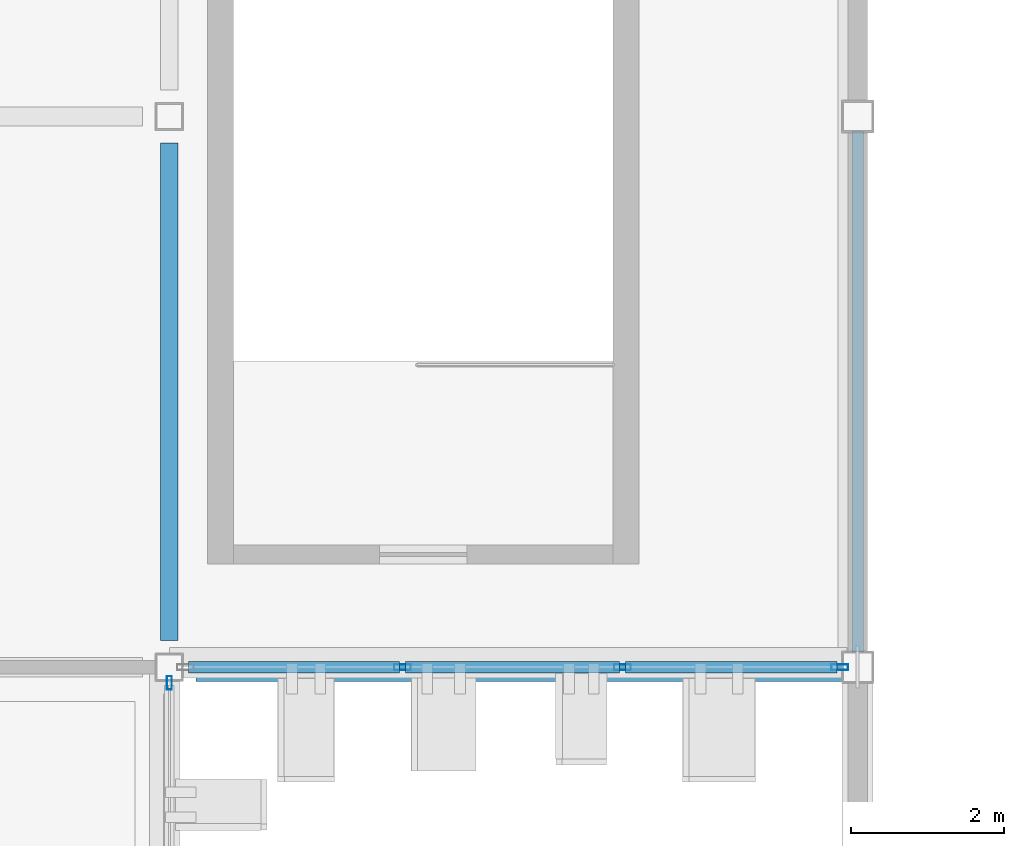
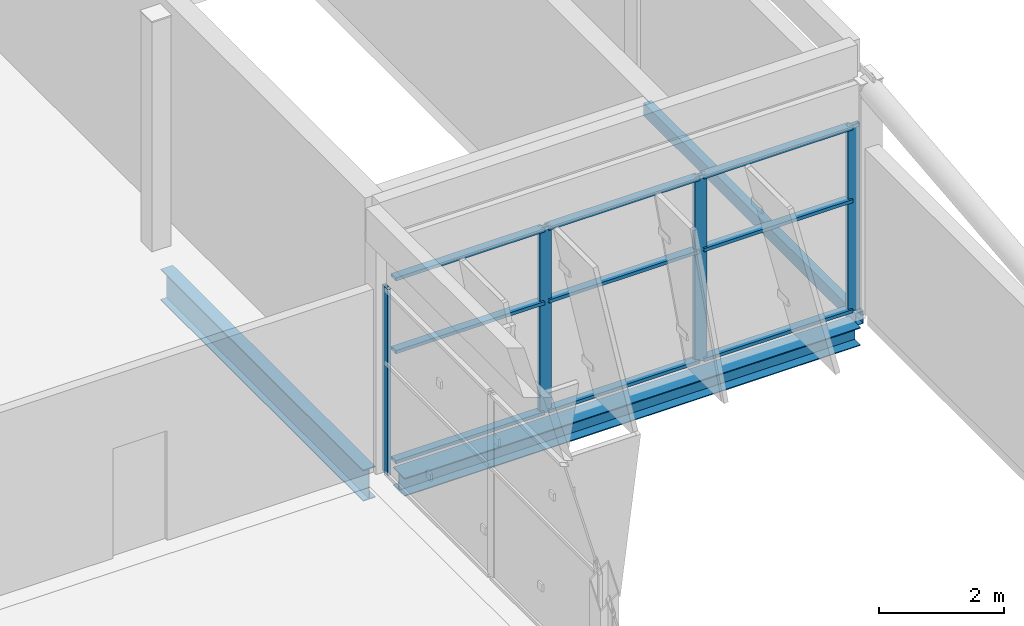
# One storey, part 59 of 124: 13 members, 3 beams, 2 elements without a shape of their own.
"""IFC4 building model written with IfcOpenShell, lengths in metres."""

import ifcopenshell
import ifcopenshell.guid

model = None  # the IFC model being written
_history = None  # IfcOwnerHistory: only IFC2X3 demands one
_inside = {}  # id of a spatial element -> (the spatial element, [elements in it])
_under = {}  # id of a project, library or spatial element -> (it, [spatial elements below it])
_declared = {}  # id of a project -> (the project, [libraries it declares])
_typed = {}  # id of a type object -> (the type object, [elements of that type])
_made_of = {}  # id of a material, layer set ... -> (it, [elements and type objects made of it])


def new_model(schema):
    """Start an empty IFC model of exactly this schema.

    Asked for "IFC4X3", IfcOpenShell would pick the latest addendum, in which some entities
    have other attributes; the version numbers below select the first issue.
    IFC2X3 requires an IfcOwnerHistory on every rooted entity: one is made here for all.
    """
    global model, _history
    if schema == "IFC4X3":
        model = ifcopenshell.file(schema_version=(4, 3, 0, 0))
    else:
        model = ifcopenshell.file(schema=schema)
    _inside.clear()
    _under.clear()
    _declared.clear()
    _typed.clear()
    _made_of.clear()
    _history = None
    if model.schema == "IFC2X3":
        org = make("IfcOrganization", Name="unknown")
        user = make(
            "IfcPersonAndOrganization",
            ThePerson=make("IfcPerson", FamilyName="unknown"),
            TheOrganization=org,
        )
        app = make(
            "IfcApplication",
            ApplicationDeveloper=org,
            Version="unknown",
            ApplicationFullName="unknown",
            ApplicationIdentifier="unknown",
        )
        _history = make(
            "IfcOwnerHistory",
            OwningUser=user,
            OwningApplication=app,
            ChangeAction="ADDED",
            CreationDate=0,
        )
    return model


def make(cls, **values):
    """One entity of the class cls with the attributes given. An attribute that is None is left unset."""
    return model.create_entity(
        cls, **{name: value for name, value in values.items() if value is not None}
    )


def rooted(cls, **values):
    """An entity with a GlobalId (a new one), such as an element, a storey or a relation."""
    return make(cls, GlobalId=ifcopenshell.guid.new(), OwnerHistory=_history, **values)


def si_unit(unit_type, name, prefix=None):
    """IfcSIUnit, for example si_unit("LENGTHUNIT", "METRE", prefix="MILLI")."""
    return make("IfcSIUnit", UnitType=unit_type, Prefix=prefix, Name=name)


def assignment(units):
    """IfcUnitAssignment: the units of a project."""
    return None if units is None else make("IfcUnitAssignment", Units=units)


def point(xyz):
    """IfcCartesianPoint."""
    return None if xyz is None else make("IfcCartesianPoint", Coordinates=xyz)


def direction(xyz):
    """IfcDirection."""
    return None if xyz is None else make("IfcDirection", DirectionRatios=xyz)


def frame(location, z_axis=None, x_axis=None):
    """IfcAxis2Placement3D, a coordinate frame: its origin and axes. An axis left out is left unset."""
    return make(
        "IfcAxis2Placement3D",
        Location=point(location),
        Axis=direction(z_axis),
        RefDirection=direction(x_axis),
    )


def frame_2d(location, x_axis=None):
    """IfcAxis2Placement2D, a coordinate frame in the plane: its origin and x axis."""
    return make(
        "IfcAxis2Placement2D", Location=point(location), RefDirection=direction(x_axis)
    )


def origin():
    """The frame at (0, 0, 0) with its axes left unset."""
    return frame((0.0, 0.0, 0.0))


def origin_2d():
    """The frame at (0, 0) in the plane with its x axis left unset."""
    return frame_2d((0.0, 0.0))


def place(relative_to, where):
    """IfcLocalPlacement: puts the frame where relative to a parent placement (None: the world)."""
    return make(
        "IfcLocalPlacement", PlacementRelTo=relative_to, RelativePlacement=where
    )


def context(
    kind, dimensions, precision=None, world=None, true_north=None, identifier=None
):
    """IfcGeometricRepresentationContext, for example the 3D "Model" context."""
    return make(
        "IfcGeometricRepresentationContext",
        ContextIdentifier=identifier,
        ContextType=kind,
        CoordinateSpaceDimension=dimensions,
        Precision=precision,
        WorldCoordinateSystem=world,
        TrueNorth=true_north,
    )


def subcontext(parent, identifier, kind, view, scale=None):
    """IfcGeometricRepresentationSubContext, for example "Body" below "Model"."""
    return make(
        "IfcGeometricRepresentationSubContext",
        ContextIdentifier=identifier,
        ContextType=kind,
        ParentContext=parent,
        TargetScale=scale,
        TargetView=view,
    )


def project(units=None, contexts=None):
    """IfcProject with its units and contexts."""
    return rooted(
        "IfcProject",
        Name="project",
        RepresentationContexts=contexts,
        UnitsInContext=assignment(units),
    )


def spatial(cls, under=None, at=None, **own):
    """A site, building, storey or space (cls), placed at a placement, below another one or the project."""
    s = rooted(cls, ObjectPlacement=at, **own)
    if under is not None:
        _under.setdefault(under.id(), (under, []))[1].append(s)
    return s


def profile(cls, at=None, kind="AREA", **sizes):
    """A parametric profile (cls). Its sizes go by their IFC names, for example OverallWidth=200.0."""
    return make(cls, ProfileType=kind, Position=at, **sizes)


def hollow_rectangle(**sizes):
    """IfcRectangleHollowProfileDef."""
    return profile("IfcRectangleHollowProfileDef", **sizes)


def i_section(**sizes):
    """IfcIShapeProfileDef."""
    return profile("IfcIShapeProfileDef", **sizes)


def extrude(swept, where, along, depth):
    """IfcExtrudedAreaSolid: the profile swept, set in the frame where, extruded along a direction by depth."""
    return make(
        "IfcExtrudedAreaSolid",
        SweptArea=swept,
        Position=where,
        ExtrudedDirection=direction(along),
        Depth=depth,
    )


def shape(context_of_items, identifier, shape_type, items):
    """IfcShapeRepresentation: the items that make up one representation, for example the "Body"."""
    return make(
        "IfcShapeRepresentation",
        ContextOfItems=context_of_items,
        RepresentationIdentifier=identifier,
        RepresentationType=shape_type,
        Items=items,
    )


def material(Name=None, Category=None):
    """IfcMaterial."""
    return make("IfcMaterial", Name=Name, Category=Category)


def layer(
    of_material, thickness, ventilated=None, Name=None, Category=None, Priority=None
):
    """IfcMaterialLayer: one layer of a wall or slab, of a material (None: an air gap)."""
    return make(
        "IfcMaterialLayer",
        Material=of_material,
        LayerThickness=thickness,
        IsVentilated=ventilated,
        Name=Name,
        Category=Category,
        Priority=Priority,
    )


def layer_set(layers, Name=None):
    """IfcMaterialLayerSet."""
    return make("IfcMaterialLayerSet", MaterialLayers=layers, LayerSetName=Name)


def material_profile(
    of_material, cross_section, Name=None, Category=None, Priority=None
):
    """IfcMaterialProfile: a cross section and its material."""
    return make(
        "IfcMaterialProfile",
        Name=Name,
        Material=of_material,
        Profile=cross_section,
        Priority=Priority,
        Category=Category,
    )


def profile_set(profiles, Name=None, composite=None):
    """IfcMaterialProfileSet."""
    return make(
        "IfcMaterialProfileSet",
        Name=Name,
        MaterialProfiles=profiles,
        CompositeProfile=composite,
    )


def made_of(thing, what):
    """Note that an element or type object is made of a material, layer set ...; save() writes the relation."""
    if what is not None:
        _made_of.setdefault(what.id(), (what, []))[1].append(thing)
    return thing


def type_object(cls, material=None, **own):
    """A type object (cls), such as IfcWallType, which elements share."""
    return made_of(rooted(cls, **own), material)


def element(
    cls,
    number,
    at=None,
    inside=None,
    cuts=None,
    type_object=None,
    material=None,
    context=None,
    identifier="Body",
    shape_type=None,
    held_by="IfcProductDefinitionShape",
    body=None,
    shapes=None,
    **own,
):
    """One element of the class cls, such as IfcWall. Its Tag is "e" and its number.

    at: its placement. inside: the storey or other place that contains it. cuts: it is an
    opening in that element (IfcRelVoidsElement). A single representation is given by context,
    identifier, shape_type and body (its items); several are given by shapes. held_by: the class
    of the entity that holds the representations. save() writes the other relations.
    """
    e = rooted(cls, Tag="e%d" % number, ObjectPlacement=at, **own)
    if body is not None:
        shapes = [shape(context, identifier, shape_type, body)]
    if shapes is not None:
        e.Representation = make(held_by, Representations=shapes)
    if inside is not None:
        _inside.setdefault(inside.id(), (inside, []))[1].append(e)
    if cuts is not None:
        rooted(
            "IfcRelVoidsElement", RelatingBuildingElement=cuts, RelatedOpeningElement=e
        )
    if type_object is not None:
        _typed.setdefault(type_object.id(), (type_object, []))[1].append(e)
    return made_of(e, material)


def aggregate(whole, parts):
    """IfcRelAggregates: a whole, such as a stair, and the parts it consists of."""
    return rooted("IfcRelAggregates", RelatingObject=whole, RelatedObjects=parts)


def save(model, path):
    """Write the relations noted so far, then the file.

    IfcRelAggregates (storeys below a building ...), IfcRelContainedInSpatialStructure (elements
    in a storey), IfcRelDefinesByType, IfcRelAssociatesMaterial and IfcRelDeclares: one each for
    every whole, place, type object, material and project.
    """
    for whole, parts in _under.values():
        aggregate(whole, parts)
    for where, things in _inside.values():
        rooted(
            "IfcRelContainedInSpatialStructure",
            RelatedElements=things,
            RelatingStructure=where,
        )
    for kind, things in _typed.values():
        rooted("IfcRelDefinesByType", RelatedObjects=things, RelatingType=kind)
    for what, things in _made_of.values():
        rooted("IfcRelAssociatesMaterial", RelatedObjects=things, RelatingMaterial=what)
    for by, libraries in _declared.values():
        rooted("IfcRelDeclares", RelatingContext=by, RelatedDefinitions=libraries)
    model.write(path)


model = new_model("IFC4")

# Units and contexts
model_context = context("Model", 3, precision=1e-05, world=origin(), true_north=direction((0.0, 1.0)))
body_context = subcontext(model_context, "Body", "Model", "MODEL_VIEW")
ifc_project = project(units=[si_unit("LENGTHUNIT", "METRE"), si_unit("AREAUNIT", "SQUARE_METRE"), si_unit("VOLUMEUNIT", "CUBIC_METRE"), si_unit("PLANEANGLEUNIT", "RADIAN"), si_unit("MASSUNIT", "GRAM", prefix="KILO")], contexts=[model_context])

# Site, building, storey
site_placement = place(None, origin())
site = spatial("IfcSite", under=ifc_project, at=site_placement, CompositionType="ELEMENT")
building_placement = place(site_placement, origin())
building = spatial("IfcBuilding", under=site, at=building_placement, Name="Celestram Park Convention Centre", CompositionType="ELEMENT")
storey_placement = place(building_placement, frame((0.0, 0.0, 15.300048828125)))
storey = spatial("IfcBuildingStorey", under=building, at=storey_placement, Name="L03", CompositionType="ELEMENT", Elevation=15.300048828125)

# Curtain wall, member
ifc_material_1 = material(Name="Anodised Aluminium Alloy 6063-T6", Category="aluminium")
ifc_layer_1 = layer(ifc_material_1, 0.179931640625)
ifc_layer_set_1 = layer_set([ifc_layer_1], Name="Anodised Aluminium Alloy 6063-T6")
curtain_wall_type_1 = type_object("IfcCurtainWallType", Name="ARC-CW-685X365", PredefinedType="NOTDEFINED", material=ifc_layer_set_1)
curtain_wall_1_placement = place(storey_placement, origin())
curtain_wall_1 = element("IfcCurtainWall", 1, at=curtain_wall_1_placement, inside=storey, type_object=curtain_wall_type_1, Name="Unitised curtain wall CU-L03-217", PredefinedType="NOTDEFINED")
ifc_material_profile_1 = material_profile(ifc_material_1, hollow_rectangle(XDim=0.06494140625, YDim=0.179931640625, WallThickness=0.00390625, at=origin_2d()), Name="ALU65X180X4")
ifc_profile_set_1 = profile_set([ifc_material_profile_1], Name="Anodised Aluminium Alloy 6063-T6")
member_type_1 = type_object("IfcMemberType", Name="ARC-CWM-150", PredefinedType="MULLION", material=ifc_profile_set_1)
member_1_placement = place(storey_placement, frame((144.0, 122.194580078125, 0.0), z_axis=(0.0, 0.0, 1.0), x_axis=(1.0, 0.0, 0.0)))
member_1 = element("IfcMember", 2, at=member_1_placement, type_object=member_type_1, Name="CW-68X36 mullion 1", PredefinedType="MULLION", context=body_context, shape_type="SweptSolid", body=[
    extrude(hollow_rectangle(XDim=0.06494140625, YDim=0.179931640625, WallThickness=0.00390625, at=origin_2d()), origin(), (0.0, 0.0, 1.0), 3.64794921875),
])
aggregate(curtain_wall_1, [member_1])

# Curtain wall, members
ifc_layer_2 = layer(ifc_material_1, 0.179931640625)
ifc_layer_set_2 = layer_set([ifc_layer_2], Name="Anodised Aluminium Alloy 6063-T6")
curtain_wall_type_2 = type_object("IfcCurtainWallType", Name="ARC-CW-863X365", PredefinedType="NOTDEFINED", material=ifc_layer_set_2)
curtain_wall_2_placement = place(storey_placement, origin())
curtain_wall_2 = element("IfcCurtainWall", 3, at=curtain_wall_2_placement, inside=storey, type_object=curtain_wall_type_2, Name="Unitised curtain wall CU-L03-216", PredefinedType="NOTDEFINED")
ifc_material_profile_2 = material_profile(ifc_material_1, hollow_rectangle(XDim=0.074951171875, YDim=0.219970703125, WallThickness=0.00390625, at=origin_2d()), Name="ALU75X220X4")
ifc_profile_set_2 = profile_set([ifc_material_profile_2], Name="Anodised Aluminium Alloy 6063-T6")
member_type_2 = type_object("IfcMemberType", Name="ARC-CWM-180", PredefinedType="MULLION", material=ifc_profile_set_2)
member_2_placement = place(storey_placement, frame((152.764404296875, 122.39990234375, 0.0), z_axis=(0.0, 0.0, 1.0), x_axis=(0.0, -1.0, 0.0)))
member_2 = element("IfcMember", 4, at=member_2_placement, type_object=member_type_2, Name="CW-86X36 mullion 1", PredefinedType="MULLION", context=body_context, shape_type="SweptSolid", body=[
    extrude(hollow_rectangle(XDim=0.074951171875, YDim=0.219970703125, WallThickness=0.00390625, at=origin_2d()), origin(), (0.0, 0.0, 1.0), 3.64794921875),
])
member_3_placement = place(storey_placement, frame((149.92578125, 122.39990234375, 0.0), z_axis=(0.0, 0.0, 1.0), x_axis=(0.0, -1.0, 0.0)))
member_3 = element("IfcMember", 5, at=member_3_placement, type_object=member_type_2, Name="CW-86X36 mullion 2", PredefinedType="MULLION", context=body_context, shape_type="SweptSolid", body=[
    extrude(hollow_rectangle(XDim=0.074951171875, YDim=0.219970703125, WallThickness=0.00390625, at=origin_2d()), origin(), (0.0, 0.0, 1.0), 3.64794921875),
])
member_4_placement = place(storey_placement, frame((147.04931640625, 122.39990234375, 0.0), z_axis=(0.0, 0.0, 1.0), x_axis=(0.0, -1.0, 0.0)))
member_4 = element("IfcMember", 6, at=member_4_placement, type_object=member_type_2, Name="CW-86X36 mullion 3", PredefinedType="MULLION", context=body_context, shape_type="SweptSolid", body=[
    extrude(hollow_rectangle(XDim=0.074951171875, YDim=0.219970703125, WallThickness=0.00390625, at=origin_2d()), origin(), (0.0, 0.0, 1.0), 3.64794921875),
])
ifc_material_profile_3 = material_profile(ifc_material_1, hollow_rectangle(XDim=0.14990234375, YDim=0.06494140625, WallThickness=0.0029296875, at=origin_2d()), Name="ALU150X65X3")
ifc_profile_set_3 = profile_set([ifc_material_profile_3], Name="Anodised Aluminium Alloy 6063-T6")
member_type_3 = type_object("IfcMemberType", Name="ARC-CWT-150", PredefinedType="USERDEFINED", material=ifc_profile_set_3)
member_5_placement = place(storey_placement, frame((152.72705078125, 122.39990234375, 0.032470703125), z_axis=(-1.0, 0.0, 0.0), x_axis=(0.0, -1.0, 0.0)))
member_5 = element("IfcMember", 7, at=member_5_placement, type_object=member_type_3, Name="CW-86X36 transom 1.1", ObjectType="TRANSOM", PredefinedType="USERDEFINED", context=body_context, shape_type="SweptSolid", body=[
    extrude(hollow_rectangle(XDim=0.14990234375, YDim=0.06494140625, WallThickness=0.0029296875, at=origin_2d()), origin(), (0.0, 0.0, 1.0), 2.763916015625),
])
member_6_placement = place(storey_placement, frame((152.72705078125, 122.39990234375, 2.18896484375), z_axis=(-1.0, 0.0, 0.0), x_axis=(0.0, -1.0, 0.0)))
member_6 = element("IfcMember", 8, at=member_6_placement, type_object=member_type_3, Name="CW-86X36 transom 1.2", ObjectType="TRANSOM", PredefinedType="USERDEFINED", context=body_context, shape_type="SweptSolid", body=[
    extrude(hollow_rectangle(XDim=0.14990234375, YDim=0.06494140625, WallThickness=0.0029296875, at=origin_2d()), origin(), (0.0, 0.0, 1.0), 2.763916015625),
])
member_7_placement = place(storey_placement, frame((152.72705078125, 122.39990234375, 3.615478515625), z_axis=(-1.0, 0.0, 0.0), x_axis=(0.0, -1.0, 0.0)))
member_7 = element("IfcMember", 9, at=member_7_placement, type_object=member_type_3, Name="CW-86X36 transom 1.3", ObjectType="TRANSOM", PredefinedType="USERDEFINED", context=body_context, shape_type="SweptSolid", body=[
    extrude(hollow_rectangle(XDim=0.14990234375, YDim=0.06494140625, WallThickness=0.0029296875, at=origin_2d()), origin(), (0.0, 0.0, 1.0), 2.763916015625),
])
member_8_placement = place(storey_placement, frame((149.88818359375, 122.39990234375, 0.032470703125), z_axis=(-1.0, 0.0, 0.0), x_axis=(0.0, -1.0, 0.0)))
member_8 = element("IfcMember", 10, at=member_8_placement, type_object=member_type_3, Name="CW-86X36 transom 2.1", ObjectType="TRANSOM", PredefinedType="USERDEFINED", context=body_context, shape_type="SweptSolid", body=[
    extrude(hollow_rectangle(XDim=0.14990234375, YDim=0.06494140625, WallThickness=0.0029296875, at=origin_2d()), origin(), (0.0, 0.0, 1.0), 2.80126953125),
])
member_9_placement = place(storey_placement, frame((149.88818359375, 122.39990234375, 2.18896484375), z_axis=(-1.0, 0.0, 0.0), x_axis=(0.0, -1.0, 0.0)))
member_9 = element("IfcMember", 11, at=member_9_placement, type_object=member_type_3, Name="CW-86X36 transom 2.2", ObjectType="TRANSOM", PredefinedType="USERDEFINED", context=body_context, shape_type="SweptSolid", body=[
    extrude(hollow_rectangle(XDim=0.14990234375, YDim=0.06494140625, WallThickness=0.0029296875, at=origin_2d()), origin(), (0.0, 0.0, 1.0), 2.80126953125),
])
member_10_placement = place(storey_placement, frame((149.88818359375, 122.39990234375, 3.615478515625), z_axis=(-1.0, 0.0, 0.0), x_axis=(0.0, -1.0, 0.0)))
member_10 = element("IfcMember", 12, at=member_10_placement, type_object=member_type_3, Name="CW-86X36 transom 2.3", ObjectType="TRANSOM", PredefinedType="USERDEFINED", context=body_context, shape_type="SweptSolid", body=[
    extrude(hollow_rectangle(XDim=0.14990234375, YDim=0.06494140625, WallThickness=0.0029296875, at=origin_2d()), origin(), (0.0, 0.0, 1.0), 2.80126953125),
])
member_11_placement = place(storey_placement, frame((147.01171875, 122.39990234375, 0.032470703125), z_axis=(-1.0, 0.0, 0.0), x_axis=(0.0, -1.0, 0.0)))
member_11 = element("IfcMember", 13, at=member_11_placement, type_object=member_type_3, Name="CW-86X36 transom 3.1", ObjectType="TRANSOM", PredefinedType="USERDEFINED", context=body_context, shape_type="SweptSolid", body=[
    extrude(hollow_rectangle(XDim=0.14990234375, YDim=0.06494140625, WallThickness=0.0029296875, at=origin_2d()), origin(), (0.0, 0.0, 1.0), 2.763671875),
])
member_12_placement = place(storey_placement, frame((147.01171875, 122.39990234375, 2.18896484375), z_axis=(-1.0, 0.0, 0.0), x_axis=(0.0, -1.0, 0.0)))
member_12 = element("IfcMember", 14, at=member_12_placement, type_object=member_type_3, Name="CW-86X36 transom 3.2", ObjectType="TRANSOM", PredefinedType="USERDEFINED", context=body_context, shape_type="SweptSolid", body=[
    extrude(hollow_rectangle(XDim=0.14990234375, YDim=0.06494140625, WallThickness=0.0029296875, at=origin_2d()), origin(), (0.0, 0.0, 1.0), 2.763671875),
])
member_13_placement = place(storey_placement, frame((147.01171875, 122.39990234375, 3.615478515625), z_axis=(-1.0, 0.0, 0.0), x_axis=(0.0, -1.0, 0.0)))
member_13 = element("IfcMember", 15, at=member_13_placement, type_object=member_type_3, Name="CW-86X36 transom 3.3", ObjectType="TRANSOM", PredefinedType="USERDEFINED", context=body_context, shape_type="SweptSolid", body=[
    extrude(hollow_rectangle(XDim=0.14990234375, YDim=0.06494140625, WallThickness=0.0029296875, at=origin_2d()), origin(), (0.0, 0.0, 1.0), 2.763671875),
])
aggregate(curtain_wall_2, [member_2, member_3, member_4, member_5, member_6, member_7, member_8, member_9, member_10, member_11, member_12, member_13])

# Beams
ifc_material_2 = material(Name="Steel ASTM A992 Grade 50", Category="steel")
ifc_material_profile_4 = material_profile(ifc_material_2, i_section(OverallWidth=0.22900390625, OverallDepth=0.612060546875, WebThickness=0.011962890625, FlangeThickness=0.01953125, at=origin_2d()), Name="W24X84")
ifc_profile_set_4 = profile_set([ifc_material_profile_4], Name="Steel ASTM A992 Grade 50")
beam_type_1 = type_object("IfcBeamType", Name="STR-BM-W24X84", PredefinedType="BEAM", material=ifc_profile_set_4)
beam_1_placement = place(storey_placement, frame((144.0, 122.748046875, -0.55615234375), z_axis=(0.0, 1.0, 0.0), x_axis=(-1.0, 0.0, 0.0)))
element("IfcBeam", 16, at=beam_1_placement, inside=storey, type_object=beam_type_1, Name="Primary Y-girder BG-L03-0236", PredefinedType="BEAM", context=body_context, shape_type="SweptSolid", body=[
    extrude(i_section(OverallWidth=0.22900390625, OverallDepth=0.612060546875, WebThickness=0.011962890625, FlangeThickness=0.01953125, at=origin_2d()), origin(), (0.0, 0.0, 1.0), 6.50390625),
])
ifc_material_3 = material(Name="Steel ASTM A500 Grade C", Category="steel")
ifc_material_profile_5 = material_profile(ifc_material_3, hollow_rectangle(XDim=0.14990234375, YDim=0.25, WallThickness=0.010009765625, at=origin_2d()), Name="HSS250X150X10")
ifc_profile_set_5 = profile_set([ifc_material_profile_5], Name="Steel ASTM A500 Grade C")
beam_type_2 = type_object("IfcBeamType", Name="STR-SPN-HSS250X150", PredefinedType="SPANDREL", material=ifc_profile_set_5)
beam_2_placement = place(storey_placement, frame((153.0, 122.597900390625, -0.375), z_axis=(0.0, 1.0, 0.0), x_axis=(-1.0, 0.0, 0.0)))
element("IfcBeam", 17, at=beam_2_placement, inside=storey, type_object=beam_type_2, Name="Primary Y-girder BG-L03-0255", PredefinedType="SPANDREL", context=body_context, shape_type="SweptSolid", body=[
    extrude(hollow_rectangle(XDim=0.14990234375, YDim=0.25, WallThickness=0.010009765625, at=origin_2d()), origin(), (0.0, 0.0, 1.0), 6.80419921875),
])
ifc_material_profile_6 = material_profile(ifc_material_2, i_section(OverallWidth=0.367919921875, OverallDepth=0.35595703125, WebThickness=0.01123046875, FlangeThickness=0.01806640625, at=origin_2d()), Name="W14X90")
ifc_profile_set_6 = profile_set([ifc_material_profile_6], Name="Steel ASTM A992 Grade 50")
beam_type_3 = type_object("IfcBeamType", Name="STR-SPN-W14X90", PredefinedType="SPANDREL", material=ifc_profile_set_6)
beam_3_placement = place(storey_placement, frame((144.347900390625, 122.39990234375, -0.427978515625), z_axis=(1.0, 0.0, 0.0), x_axis=(0.0, 1.0, 0.0)))
element("IfcBeam", 18, at=beam_3_placement, inside=storey, type_object=beam_type_3, Name="Primary X-girder BG-L03-0235", PredefinedType="SPANDREL", context=body_context, shape_type="SweptSolid", body=[
    extrude(i_section(OverallWidth=0.367919921875, OverallDepth=0.35595703125, WebThickness=0.01123046875, FlangeThickness=0.01806640625, at=origin_2d()), origin(), (0.0, 0.0, 1.0), 8.4541015625),
])

save(model, "model.ifc")
